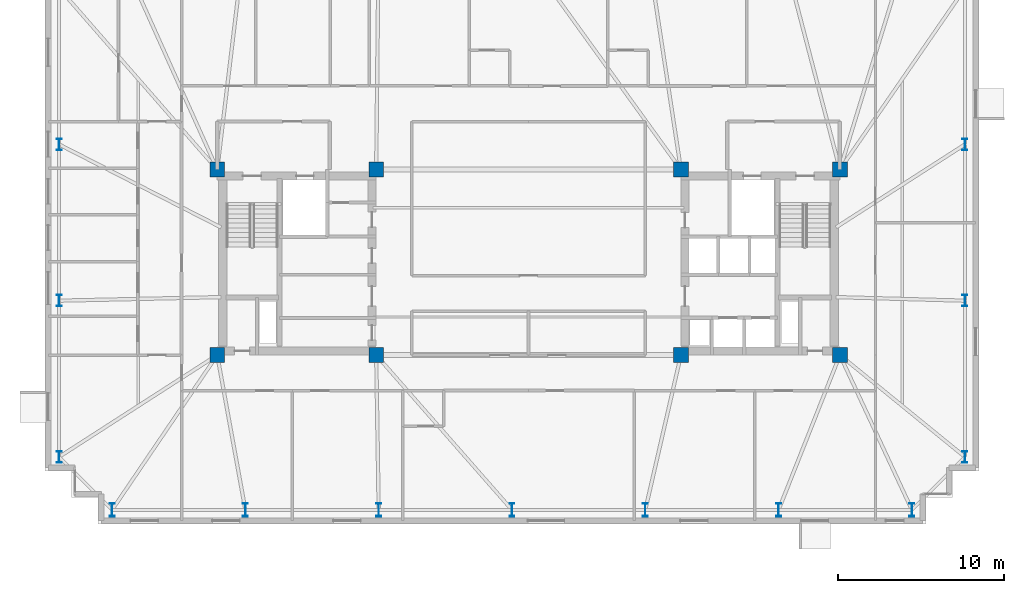
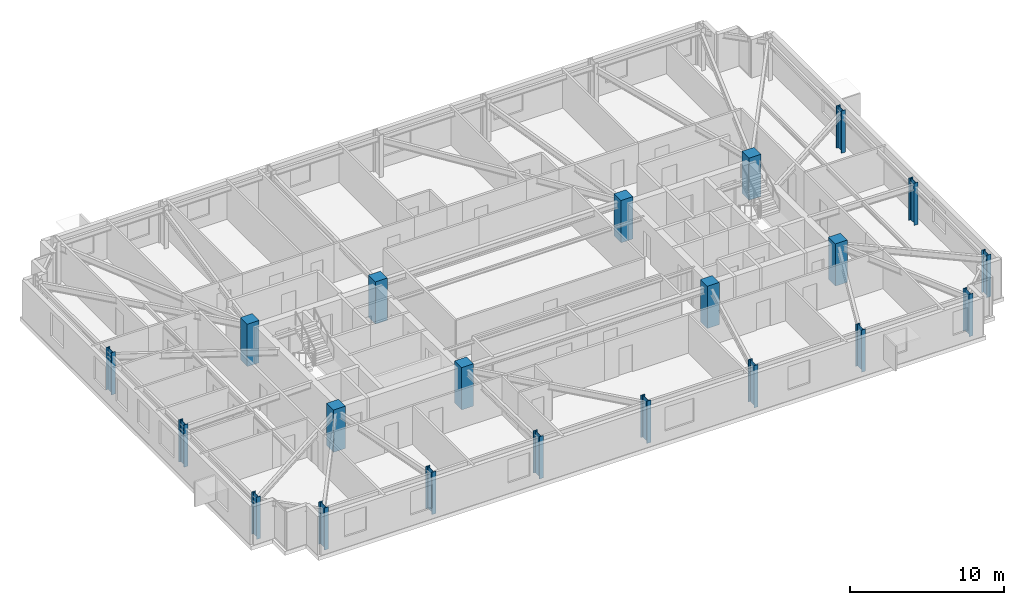
# One storey, part 1 of 17: 21 columns.
"""IFC4 building model written with IfcOpenShell, lengths in metres."""

from ifc_helpers import new_model, si_unit, direction, frame, origin, origin_2d, place, context, subcontext, project, spatial, rectangle, i_section, extrude, material, material_profile, profile_set, type_object, element, save


model = new_model("IFC4")

# Units and contexts
model_context = context("Model", 3, precision=1e-05, world=origin(), true_north=direction((0.0, 1.0)))
body_context = subcontext(model_context, "Body", "Model", "MODEL_VIEW")
ifc_project = project(units=[si_unit("LENGTHUNIT", "METRE"), si_unit("AREAUNIT", "SQUARE_METRE"), si_unit("VOLUMEUNIT", "CUBIC_METRE"), si_unit("PLANEANGLEUNIT", "RADIAN"), si_unit("MASSUNIT", "GRAM", prefix="KILO")], contexts=[model_context])

# Site, building, storey
site_placement = place(None, origin())
site = spatial("IfcSite", under=ifc_project, at=site_placement, CompositionType="ELEMENT")
building_placement = place(site_placement, origin())
building = spatial("IfcBuilding", under=site, at=building_placement, Name="Qobustan Lattice House", CompositionType="ELEMENT")
storey_placement = place(building_placement, frame((0.0, 0.0, 164.5)))
storey = spatial("IfcBuildingStorey", under=building, at=storey_placement, Name="L46", CompositionType="ELEMENT", Elevation=164.5)

# Columns
ifc_material_1 = material(Name="Concrete C50/60", Category="concrete")
ifc_material_profile_1 = material_profile(ifc_material_1, rectangle(XDim=0.89990234375, YDim=0.89990234375, at=origin_2d()), Name="RC900x900")
ifc_profile_set_1 = profile_set([ifc_material_profile_1], Name="Concrete C50/60")
column_type_1 = type_object("IfcColumnType", Name="COL-RC-900", PredefinedType="COLUMN", material=ifc_profile_set_1)
for number, where, z_axis, x_axis, name in (
    (1, (-18.800048828125, -5.60009765625, 0.0), (0.0, 0.0, 1.0), (1.0, 0.0, 0.0), "L46 core mega-column CW-SW"),
    (2, (-18.800048828125, 5.60009765625, 0.0), (0.0, 0.0, 1.0), (1.0, 0.0, 0.0), "L46 core mega-column CW-NW"),
    (3, (-9.199951171875, -5.60009765625, 0.0), (0.0, 0.0, 1.0), (1.0, 0.0, 0.0), "L46 core mega-column CW-SE"),
    (4, (-9.199951171875, 5.60009765625, 0.0), (0.0, 0.0, 1.0), (1.0, 0.0, 0.0), "L46 core mega-column CW-NE"),
    (5, (9.199951171875, -5.60009765625, 0.0), (0.0, 0.0, 1.0), (1.0, 0.0, 0.0), "L46 core mega-column CE-SW"),
    (6, (9.199951171875, 5.60009765625, 0.0), (0.0, 0.0, 1.0), (1.0, 0.0, 0.0), "L46 core mega-column CE-NW"),
    (7, (18.800048828125, -5.60009765625, 0.0), (0.0, 0.0, 1.0), (1.0, 0.0, 0.0), "L46 core mega-column CE-SE"),
    (8, (18.800048828125, 5.60009765625, 0.0), (0.0, 0.0, 1.0), (1.0, 0.0, 0.0), "L46 core mega-column CE-NE"),
):
    element("IfcColumn", number, at=place(storey_placement, frame(where, z_axis=z_axis, x_axis=x_axis)), inside=storey, type_object=column_type_1, Name=name, PredefinedType="COLUMN", context=body_context, shape_type="SweptSolid", body=[
        extrude(rectangle(XDim=0.89990234375, YDim=0.89990234375, at=origin_2d()), origin(), (0.0, 0.0, 1.0), 3.35009765625),
    ])
ifc_material_2 = material(Name="Steel S355", Category="steel")
ifc_material_profile_2 = material_profile(ifc_material_2, i_section(OverallWidth=0.300048828125, OverallDepth=0.699951171875, WebThickness=0.01708984375, FlangeThickness=0.031982421875, FilletRadius=0.027099609375, at=origin_2d()), Name="HEB700")
ifc_profile_set_2 = profile_set([ifc_material_profile_2], Name="Steel S355")
column_type_2 = type_object("IfcColumnType", Name="COL-ST-HEB700", PredefinedType="COLUMN", material=ifc_profile_set_2)
for number, where, z_axis, x_axis, name in (
    (9, (26.35009765625, -11.75, 0.0), (0.0, 0.0, 1.0), (1.0, 0.0, 0.0), "L46 B3 perimeter column E1"),
    (10, (26.35009765625, -2.316650390625, 0.0), (0.0, 0.0, 1.0), (1.0, 0.0, 0.0), "L46 B3 perimeter column E2"),
    (11, (26.35009765625, 7.11669921875, 0.0), (0.0, 0.0, 1.0), (1.0, 0.0, 0.0), "L46 B3 perimeter column E3"),
    (12, (-28.35009765625, 7.11669921875, 0.0), (0.0, 0.0, 1.0), (1.0, 0.0, 0.0), "L46 B3 perimeter column W2"),
    (13, (-28.35009765625, -2.316650390625, 0.0), (0.0, 0.0, 1.0), (1.0, 0.0, 0.0), "L46 B3 perimeter column W3"),
    (14, (-28.35009765625, -11.75, 0.0), (0.0, 0.0, 1.0), (1.0, 0.0, 0.0), "L46 B3 perimeter column W4"),
):
    element("IfcColumn", number, at=place(storey_placement, frame(where, z_axis=z_axis, x_axis=x_axis)), inside=storey, type_object=column_type_2, Name=name, PredefinedType="COLUMN", context=body_context, shape_type="SweptSolid", body=[
        extrude(i_section(OverallWidth=0.300048828125, OverallDepth=0.699951171875, WebThickness=0.01708984375, FlangeThickness=0.031982421875, FilletRadius=0.027099609375, at=origin_2d()), origin(), (0.0, 0.0, 1.0), 3.35009765625),
    ])
ifc_material_3 = material(Name="Steel S355", Category="steel")
ifc_material_profile_3 = material_profile(ifc_material_3, i_section(OverallWidth=0.300048828125, OverallDepth=0.800048828125, WebThickness=0.017578125, FlangeThickness=0.032958984375, FilletRadius=0.030029296875, at=origin_2d()), Name="HEB800")
ifc_profile_set_3 = profile_set([ifc_material_profile_3], Name="Steel S355")
column_type_3 = type_object("IfcColumnType", Name="COL-ST-HEB800", PredefinedType="COLUMN", material=ifc_profile_set_3)
for number, where, z_axis, x_axis, name in (
    (15, (-25.14990234375, -14.949951171875, 0.0), (0.0, 0.0, 1.0), (1.0, 0.0, 0.0), "L46 B3 perimeter column S1"),
    (16, (-17.10009765625, -14.949951171875, 0.0), (0.0, 0.0, 1.0), (1.0, 0.0, 0.0), "L46 B3 perimeter column S2"),
    (17, (-9.050048828125, -14.949951171875, 0.0), (0.0, 0.0, 1.0), (1.0, 0.0, 0.0), "L46 B3 perimeter column S3"),
    (18, (-1.0, -14.949951171875, 0.0), (0.0, 0.0, 1.0), (1.0, 0.0, 0.0), "L46 B3 perimeter column S4"),
    (19, (7.050048828125, -14.949951171875, 0.0), (0.0, 0.0, 1.0), (1.0, 0.0, 0.0), "L46 B3 perimeter column S5"),
    (20, (15.10009765625, -14.949951171875, 0.0), (0.0, 0.0, 1.0), (1.0, 0.0, 0.0), "L46 B3 perimeter column S6"),
    (21, (23.14990234375, -14.949951171875, 0.0), (0.0, 0.0, 1.0), (1.0, 0.0, 0.0), "L46 B3 perimeter column S7"),
):
    element("IfcColumn", number, at=place(storey_placement, frame(where, z_axis=z_axis, x_axis=x_axis)), inside=storey, type_object=column_type_3, Name=name, PredefinedType="COLUMN", context=body_context, shape_type="SweptSolid", body=[
        extrude(i_section(OverallWidth=0.300048828125, OverallDepth=0.800048828125, WebThickness=0.017578125, FlangeThickness=0.032958984375, FilletRadius=0.030029296875, at=origin_2d()), origin(), (0.0, 0.0, 1.0), 3.35009765625),
    ])

save(model, "model.ifc")
